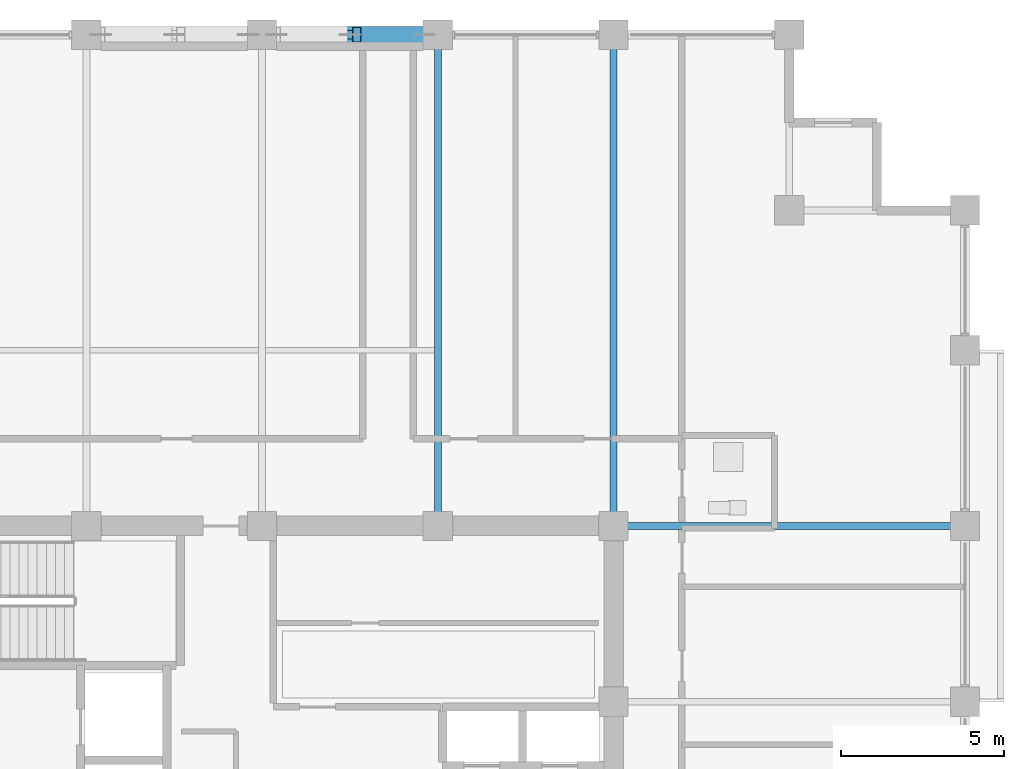
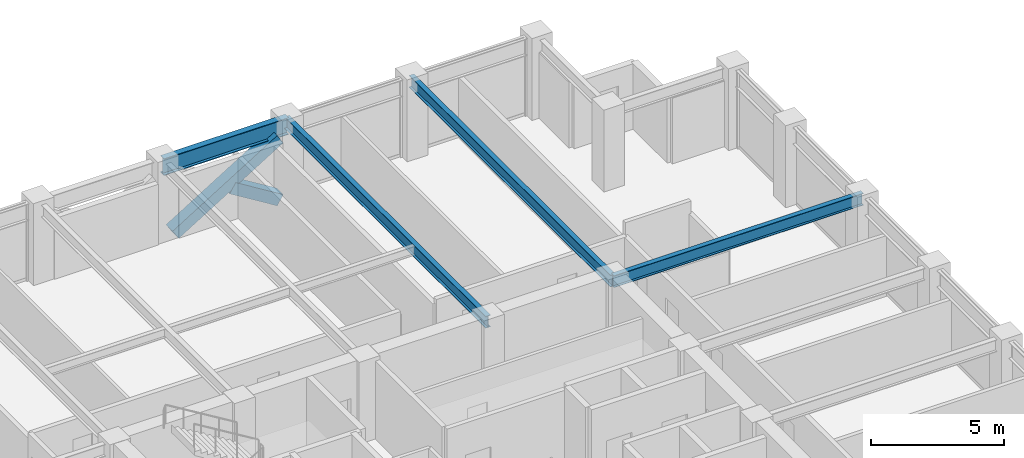
# One storey, part 21 of 31: 4 beams, 2 members.
"""IFC4 building model written with IfcOpenShell, lengths in metres."""

from ifc_helpers import new_model, si_unit, direction, frame, origin, origin_2d, place, context, subcontext, project, spatial, hollow_rectangle, i_section, extrude, material, material_profile, profile_set, type_object, element, save


model = new_model("IFC4")

# Units and contexts
model_context = context("Model", 3, precision=1e-05, world=origin(), true_north=direction((0.0, 1.0)))
body_context = subcontext(model_context, "Body", "Model", "MODEL_VIEW")
ifc_project = project(units=[si_unit("LENGTHUNIT", "METRE"), si_unit("AREAUNIT", "SQUARE_METRE"), si_unit("VOLUMEUNIT", "CUBIC_METRE"), si_unit("PLANEANGLEUNIT", "RADIAN"), si_unit("MASSUNIT", "GRAM", prefix="KILO")], contexts=[model_context])

# Site, building, storey
site_placement = place(None, origin())
site = spatial("IfcSite", under=ifc_project, at=site_placement, CompositionType="ELEMENT")
building_placement = place(site_placement, origin())
building = spatial("IfcBuilding", under=site, at=building_placement, Name="Surkhivell Harbour Commons", CompositionType="ELEMENT")
storey_placement = place(building_placement, frame((0.0, 0.0, 193.5)))
storey = spatial("IfcBuildingStorey", under=building, at=storey_placement, Name="L50", CompositionType="ELEMENT", Elevation=193.5)

# Beams
ifc_material_1 = material(Name="Steel S355", Category="steel")
ifc_material_profile_1 = material_profile(ifc_material_1, i_section(OverallWidth=0.2119140625, OverallDepth=0.5439453125, WebThickness=0.0126953125, FlangeThickness=0.021240234375, at=origin_2d()), Name="UB533x210x122")
ifc_profile_set_1 = profile_set([ifc_material_profile_1], Name="Steel S355")
beam_type_1 = type_object("IfcBeamType", Name="BM-GRD-533A", PredefinedType="BEAM", material=ifc_profile_set_1)
for number, where, z_axis, x_axis, name in (
    (1, (5.39990234375, 10.800048828125, 3.298095703125), (0.0, 1.0, 0.0), (-1.0, 0.0, 0.0), "L50 Floor Girder (5.4,10.8)"),
    (2, (10.800048828125, 10.800048828125, 3.298095703125), (0.0, 1.0, 0.0), (-1.0, 0.0, 0.0), "L50 Floor Girder (10.8,10.8)"),
):
    element("IfcBeam", number, at=place(storey_placement, frame(where, z_axis=z_axis, x_axis=x_axis)), inside=storey, type_object=beam_type_1, Name=name, PredefinedType="BEAM", context=body_context, shape_type="SweptSolid", body=[
        extrude(i_section(OverallWidth=0.2119140625, OverallDepth=0.5439453125, WebThickness=0.0126953125, FlangeThickness=0.021240234375, at=origin_2d()), origin(), (0.0, 0.0, 1.0), 15.099853515625),
    ])
beam_1_placement = place(storey_placement, frame((10.800048828125, 10.800048828125, 3.298095703125), z_axis=(1.0, 0.0, 0.0), x_axis=(0.0, 1.0, 0.0)))
element("IfcBeam", 3, at=beam_1_placement, inside=storey, type_object=beam_type_1, Name="L50 Floor Girder (10.8,10.8)", PredefinedType="BEAM", context=body_context, shape_type="SweptSolid", body=[
    extrude(i_section(OverallWidth=0.2119140625, OverallDepth=0.5439453125, WebThickness=0.0126953125, FlangeThickness=0.021240234375, at=origin_2d()), origin(), (0.0, 0.0, 1.0), 10.800048828125),
])
ifc_material_profile_2 = material_profile(ifc_material_1, i_section(OverallWidth=0.26806640625, OverallDepth=0.77001953125, WebThickness=0.015625, FlangeThickness=0.025390625, at=origin_2d()), Name="UB762x267x197")
ifc_profile_set_2 = profile_set([ifc_material_profile_2], Name="Steel S355")
beam_type_2 = type_object("IfcBeamType", Name="BM-SPN-762", PredefinedType="SPANDREL", material=ifc_profile_set_2)
beam_2_placement = place(storey_placement, frame((0.0, 25.89990234375, 3.18505859375), z_axis=(1.0, 0.0, 0.0), x_axis=(0.0, 1.0, 0.0)))
element("IfcBeam", 4, at=beam_2_placement, inside=storey, type_object=beam_type_2, Name="L50 Tube Spandrel (-0.0,25.9)", PredefinedType="SPANDREL", context=body_context, shape_type="SweptSolid", body=[
    extrude(i_section(OverallWidth=0.26806640625, OverallDepth=0.77001953125, WebThickness=0.015625, FlangeThickness=0.025390625, at=origin_2d()), origin(), (0.0, 0.0, 1.0), 5.39990234375),
])

# Members
ifc_material_2 = material(Name="Steel S460", Category="steel")
ifc_material_profile_3 = material_profile(ifc_material_2, hollow_rectangle(XDim=0.5, YDim=0.5, WallThickness=0.02490234375, at=origin_2d()), Name="SHS500x500x25")
ifc_profile_set_3 = profile_set([ifc_material_profile_3], Name="Steel S460")
member_type = type_object("IfcMemberType", Name="MEM-BRC-SHS500", PredefinedType="BRACE", material=ifc_profile_set_3)
member_1_placement = place(storey_placement, frame((0.43505859375, 25.89990234375, 0.008056640625), z_axis=(0.850971032488, 0.0, 0.525212625387), x_axis=(0.0, 1.0, 0.0)))
element("IfcMember", 5, at=member_1_placement, inside=storey, type_object=member_type, Name="L50 Perimeter Mega-Brace MB- 04", PredefinedType="BRACE", context=body_context, shape_type="SweptSolid", body=[
    extrude(hollow_rectangle(XDim=0.5, YDim=0.5, WallThickness=0.02490234375, at=origin_2d()), origin(), (0.0, 0.0, 1.0), 5.323486328125),
])
member_2_placement = place(storey_placement, frame((4.965087890625, 25.89990234375, 0.008056640625), z_axis=(-0.8510034189, 0.0, 0.525160147974), x_axis=(0.0, -1.0, 0.0)))
element("IfcMember", 6, at=member_2_placement, inside=storey, type_object=member_type, Name="L50 Perimeter Mega-Brace MB- 05", PredefinedType="BRACE", context=body_context, shape_type="SweptSolid", body=[
    extrude(hollow_rectangle(XDim=0.5, YDim=0.5, WallThickness=0.02490234375, at=origin_2d()), origin(), (0.0, 0.0, 1.0), 2.421630859375),
])

save(model, "model.ifc")
